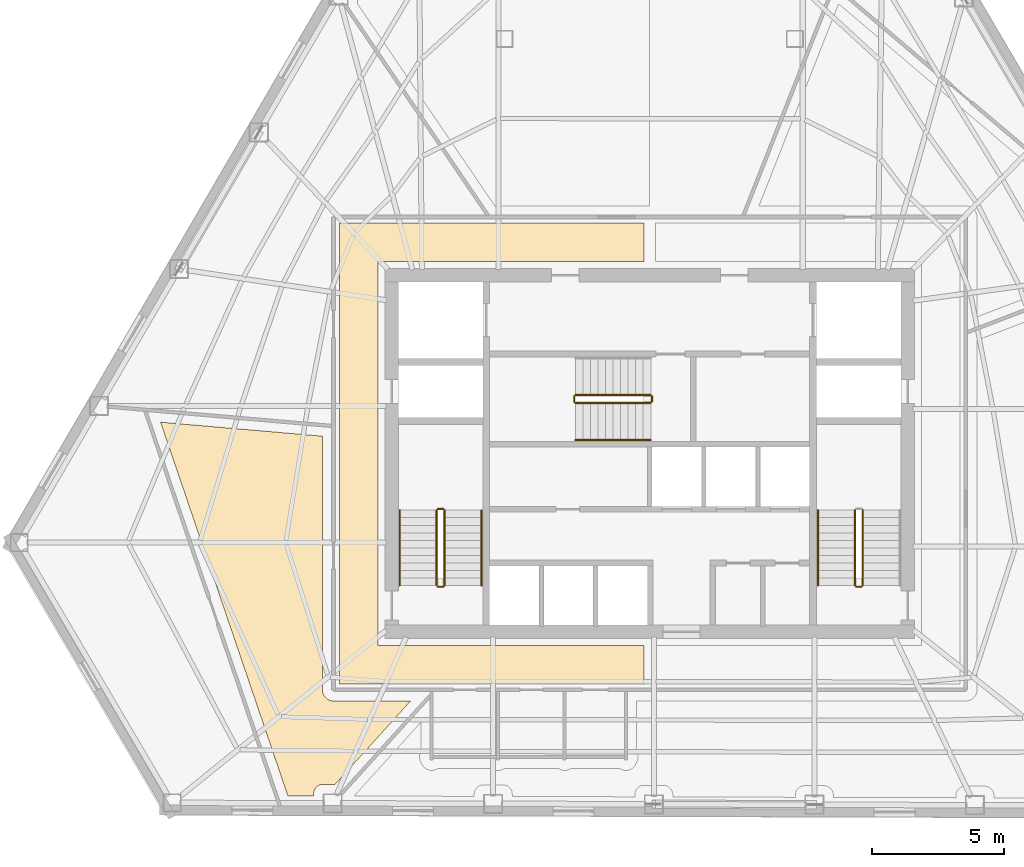
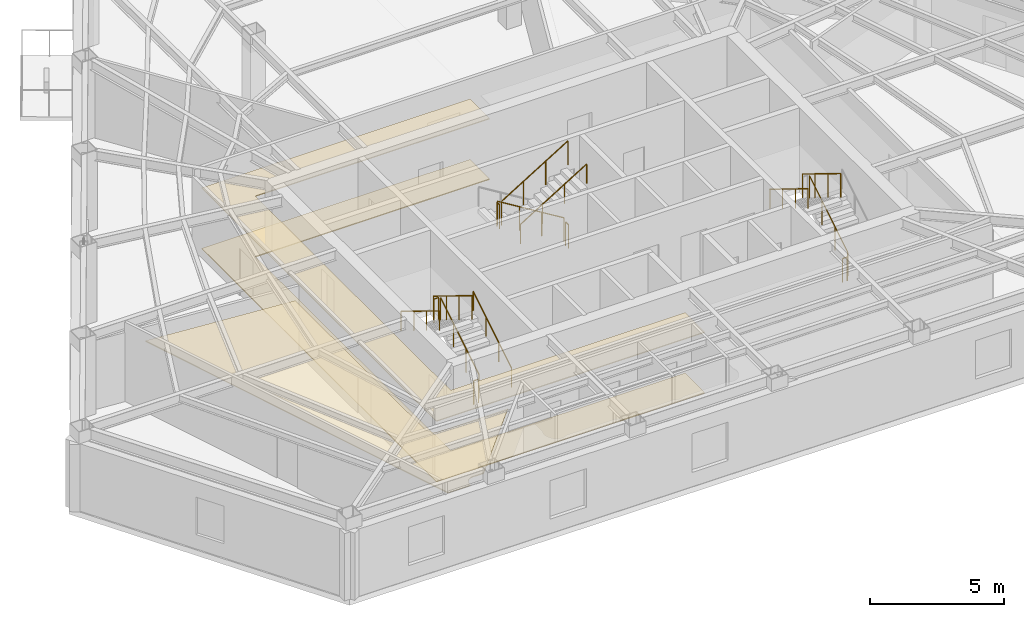
# One storey, part 8 of 11: 15 railings, 3 coverings.
"""IFC4 building model written with IfcOpenShell, lengths in metres."""

from ifc_helpers import new_model, si_unit, direction, frame, origin, origin_2d, place, context, subcontext, project, spatial, polyline, circle, outline, extrude, material, layer, layer_set, type_object, element, save


model = new_model("IFC4")

# Units and contexts
model_context = context("Model", 3, precision=1e-05, world=origin(), true_north=direction((0.0, 1.0)))
body_context = subcontext(model_context, "Body", "Model", "MODEL_VIEW")
ifc_project = project(units=[si_unit("LENGTHUNIT", "METRE"), si_unit("AREAUNIT", "SQUARE_METRE"), si_unit("VOLUMEUNIT", "CUBIC_METRE"), si_unit("PLANEANGLEUNIT", "RADIAN"), si_unit("MASSUNIT", "GRAM", prefix="KILO")], contexts=[model_context])

# Site, building, storey
site_placement = place(None, origin())
site = spatial("IfcSite", under=ifc_project, at=site_placement, CompositionType="ELEMENT")
building_placement = place(site_placement, origin())
building = spatial("IfcBuilding", under=site, at=building_placement, Name="Kavelnor Concourse Tower", CompositionType="ELEMENT")
storey_placement = place(building_placement, frame((0.0, 0.0, 127.85009765625)))
storey = spatial("IfcBuildingStorey", under=building, at=storey_placement, Name="L32", CompositionType="ELEMENT", Elevation=127.85009765625)

# Coverings
ifc_material_1 = material(Name="Mineral fibre acoustic ceiling tile")
ifc_layer_1 = layer(ifc_material_1, 0.0400390625, Name="Mineral fibre acoustic ceiling tile")
ifc_layer_set_1 = layer_set([ifc_layer_1], Name="Mineral fibre acoustic ceiling tile")
covering_type_1 = type_object("IfcCoveringType", Name="COV-CEILING-ACOUSTIC", PredefinedType="CEILING", material=ifc_layer_set_1)
covering_1_placement = place(storey_placement, frame((0.0, 0.0, 2.75)))
element("IfcCovering", 1, at=covering_1_placement, inside=storey, type_object=covering_type_1, Name="L32 Suspended Acoustic Ceiling", PredefinedType="CEILING", context=body_context, shape_type="SweptSolid", body=[
    extrude(outline(polyline([(26.25, 7.3701171875), (26.25, 24.830078125), (37.77490234375, 24.830078125), (37.77490234375, 23.3701171875), (27.7099609375, 23.3701171875), (27.7099609375, 8.830078125), (37.77490234375, 8.830078125), (37.77490234375, 7.3701171875), (26.25, 7.3701171875)])), origin(), (0.0, 0.0, 1.0), 0.039794921875),
])
covering_2_placement = place(storey_placement, frame((0.0, 0.0, 2.75)))
element("IfcCovering", 2, at=covering_2_placement, inside=storey, type_object=covering_type_1, Name="L32 Suspended Acoustic Ceiling", PredefinedType="CEILING", context=body_context, shape_type="SweptSolid", body=[
    extrude(outline(polyline([(25.609130859375, 7.1083984375), (25.615234375, 7.0673828125), (25.625244140625, 7.027099609375), (25.639404296875, 6.98828125), (25.656982421875, 6.95068359375), (25.678466796875, 6.9150390625), (25.703125, 6.881591796875), (25.73095703125, 6.85107421875), (25.76171875, 6.822998046875), (25.794921875, 6.79833984375), (25.83056640625, 6.777099609375), (25.8681640625, 6.75927734375), (25.9072265625, 6.745361328125), (25.947509765625, 6.735107421875), (25.988525390625, 6.72900390625), (26.021728515625, 6.7275390625), (28.947509765625, 6.7275390625), (26.08642578125, 3.56982421875), (25.625732421875, 3.56982421875), (25.5986328125, 3.568603515625), (25.563720703125, 3.563232421875), (25.529296875, 3.5546875), (25.49609375, 3.542724609375), (25.464111328125, 3.527587890625), (25.433837890625, 3.509521484375), (25.405517578125, 3.48828125), (25.379150390625, 3.464599609375), (25.35546875, 3.4384765625), (25.334228515625, 3.409912109375), (25.316162109375, 3.379638671875), (25.301025390625, 3.34765625), (25.2890625, 3.314453125), (25.280517578125, 3.280029296875), (25.275390625, 3.2451171875), (25.27392578125, 3.218017578125), (25.27392578125, 3.1318359375), (24.2958984375, 3.134765625), (19.475830078125, 17.284912109375), (25.607421875, 16.7548828125), (25.607421875, 7.1416015625), (25.609130859375, 7.1083984375)])), origin(), (0.0, 0.0, 1.0), 0.039794921875),
])
ifc_material_2 = material(Name="Honed bluestone and raised access floor finish", Category="masonry")
ifc_layer_2 = layer(ifc_material_2, 0.0400390625, Name="Honed bluestone and raised access floor finish")
ifc_layer_set_2 = layer_set([ifc_layer_2], Name="Honed bluestone and raised access floor finish")
covering_type_2 = type_object("IfcCoveringType", Name="COV-FLOOR-STONE", PredefinedType="FLOORING", material=ifc_layer_set_2)
covering_3_placement = place(storey_placement, frame((0.0, 0.0, 0.001953125)))
element("IfcCovering", 3, at=covering_3_placement, inside=storey, type_object=covering_type_2, Name="L32 Honed Bluestone Floor Finish", PredefinedType="FLOORING", context=body_context, shape_type="SweptSolid", body=[
    extrude(outline(polyline([(26.25, 7.3701171875), (26.25, 24.830078125), (37.77490234375, 24.830078125), (37.77490234375, 23.3701171875), (27.7099609375, 23.3701171875), (27.7099609375, 8.830078125), (37.77490234375, 8.830078125), (37.77490234375, 7.3701171875), (26.25, 7.3701171875)])), origin(), (0.0, 0.0, 1.0), 0.0400390625),
])

# Railings
ifc_material_3 = material(Name="Steel Grade 350", Category="steel")
railing_type_1 = type_object("IfcRailingType", Name="RLG-GUARD-1100", PredefinedType="GUARDRAIL", material=ifc_material_3)
railing_1_placement = place(storey_placement, frame((30.22998046875, 11.10009765625, 0.1748046875)))
element("IfcRailing", 4, at=railing_1_placement, inside=storey, type_object=railing_type_1, Name="L32 ST1 stair guard 1", PredefinedType="GUARDRAIL", context=body_context, shape_type="SweptSolid", body=[
    extrude(circle(Radius=0.02392578125, at=origin_2d()), frame((0.0, 0.0, 1.076171875), z_axis=(0.0, 0.852159232446, 0.523282564737), x_axis=(-1.0, 0.0, 0.0)), (0.0, 0.0, 1.0), 3.34423828125),
    extrude(circle(Radius=0.02099609375, at=origin_2d()), origin(), (0.0, 0.0, 1.0), 1.052001953125),
    extrude(circle(Radius=0.02099609375, at=origin_2d()), frame((0.0, 0.949951171875, 0.583251953125)), (0.0, 0.0, 1.0), 1.052001953125),
    extrude(circle(Radius=0.02099609375, at=origin_2d()), frame((0.0, 1.89990234375, 1.166748046875)), (0.0, 0.0, 1.0), 1.052001953125),
    extrude(circle(Radius=0.02099609375, at=origin_2d()), frame((0.0, 2.849853515625, 1.75)), (0.0, 0.0, 1.0), 1.052001953125),
])
railing_2_placement = place(storey_placement, frame((30.179931640625, 14.0, 1.9248046875)))
element("IfcRailing", 5, at=railing_2_placement, inside=storey, type_object=railing_type_1, Name="L32 ST1 stair guard 2", PredefinedType="GUARDRAIL", context=body_context, shape_type="SweptSolid", body=[
    extrude(circle(Radius=0.02392578125, at=origin_2d()), frame((0.0, 0.0, 1.076171875), z_axis=(-1.0, 0.0, 0.0), x_axis=(0.0, -1.0, 0.0)), (0.0, 0.0, 1.0), 0.199951171875),
    extrude(circle(Radius=0.02099609375, at=origin_2d()), origin(), (0.0, 0.0, 1.0), 1.052001953125),
    extrude(circle(Radius=0.02099609375, at=origin_2d()), frame((-0.199951171875, 0.0, 0.0)), (0.0, 0.0, 1.0), 1.052001953125),
])
railing_3_placement = place(storey_placement, frame((29.929931640625, 13.949951171875, 2.099853515625)))
element("IfcRailing", 6, at=railing_3_placement, inside=storey, type_object=railing_type_1, Name="L32 ST1 stair guard 3", PredefinedType="GUARDRAIL", context=body_context, shape_type="SweptSolid", body=[
    extrude(circle(Radius=0.02392578125, at=origin_2d()), frame((0.0, 0.0, 1.076171875), z_axis=(0.0, -0.852159232446, 0.523282564737), x_axis=(1.0, 0.0, 0.0)), (0.0, 0.0, 1.0), 3.34423828125),
    extrude(circle(Radius=0.02099609375, at=origin_2d()), origin(), (0.0, 0.0, 1.0), 1.052001953125),
    extrude(circle(Radius=0.02099609375, at=origin_2d()), frame((0.0, -0.949951171875, 0.583251953125)), (0.0, 0.0, 1.0), 1.052001953125),
    extrude(circle(Radius=0.02099609375, at=origin_2d()), frame((0.0, -1.89990234375, 1.166748046875)), (0.0, 0.0, 1.0), 1.052001953125),
    extrude(circle(Radius=0.02099609375, at=origin_2d()), frame((0.0, -2.849853515625, 1.75)), (0.0, 0.0, 1.0), 1.052001953125),
])
railing_4_placement = place(storey_placement, frame((30.179931640625, 11.050048828125, 0.0)))
element("IfcRailing", 7, at=railing_4_placement, inside=storey, type_object=railing_type_1, Name="L32 ST1 stair guard 4", PredefinedType="GUARDRAIL", context=body_context, shape_type="SweptSolid", body=[
    extrude(circle(Radius=0.02392578125, at=origin_2d()), frame((0.0, 0.0, 1.076171875), z_axis=(-1.0, 0.0, 0.0), x_axis=(0.0, -1.0, 0.0)), (0.0, 0.0, 1.0), 0.199951171875),
    extrude(circle(Radius=0.02099609375, at=origin_2d()), origin(), (0.0, 0.0, 1.0), 1.052001953125),
    extrude(circle(Radius=0.02099609375, at=origin_2d()), frame((-0.199951171875, 0.0, 0.0)), (0.0, 0.0, 1.0), 1.052001953125),
])
railing_5_placement = place(storey_placement, frame((46.070068359375, 11.10009765625, 0.1748046875)))
element("IfcRailing", 8, at=railing_5_placement, inside=storey, type_object=railing_type_1, Name="L32 ST2 stair guard 1", PredefinedType="GUARDRAIL", context=body_context, shape_type="SweptSolid", body=[
    extrude(circle(Radius=0.02392578125, at=origin_2d()), frame((0.0, 0.0, 1.076171875), z_axis=(0.0, 0.852159232446, 0.523282564737), x_axis=(-1.0, 0.0, 0.0)), (0.0, 0.0, 1.0), 3.34423828125),
    extrude(circle(Radius=0.02099609375, at=origin_2d()), origin(), (0.0, 0.0, 1.0), 1.052001953125),
    extrude(circle(Radius=0.02099609375, at=origin_2d()), frame((0.0, 0.949951171875, 0.583251953125)), (0.0, 0.0, 1.0), 1.052001953125),
    extrude(circle(Radius=0.02099609375, at=origin_2d()), frame((0.0, 1.89990234375, 1.166748046875)), (0.0, 0.0, 1.0), 1.052001953125),
    extrude(circle(Radius=0.02099609375, at=origin_2d()), frame((0.0, 2.849853515625, 1.75)), (0.0, 0.0, 1.0), 1.052001953125),
])
railing_6_placement = place(storey_placement, frame((45.77001953125, 13.949951171875, 2.099853515625)))
element("IfcRailing", 9, at=railing_6_placement, inside=storey, type_object=railing_type_1, Name="L32 ST2 stair guard 3", PredefinedType="GUARDRAIL", context=body_context, shape_type="SweptSolid", body=[
    extrude(circle(Radius=0.02392578125, at=origin_2d()), frame((0.0, 0.0, 1.076171875), z_axis=(0.0, -0.852159232446, 0.523282564737), x_axis=(1.0, 0.0, 0.0)), (0.0, 0.0, 1.0), 3.34423828125),
    extrude(circle(Radius=0.02099609375, at=origin_2d()), origin(), (0.0, 0.0, 1.0), 1.052001953125),
    extrude(circle(Radius=0.02099609375, at=origin_2d()), frame((0.0, -0.949951171875, 0.583251953125)), (0.0, 0.0, 1.0), 1.052001953125),
    extrude(circle(Radius=0.02099609375, at=origin_2d()), frame((0.0, -1.89990234375, 1.166748046875)), (0.0, 0.0, 1.0), 1.052001953125),
    extrude(circle(Radius=0.02099609375, at=origin_2d()), frame((0.0, -2.849853515625, 1.75)), (0.0, 0.0, 1.0), 1.052001953125),
])
railing_7_placement = place(storey_placement, frame((46.02001953125, 11.050048828125, 0.0)))
element("IfcRailing", 10, at=railing_7_placement, inside=storey, type_object=railing_type_1, Name="L32 ST2 stair guard 4", PredefinedType="GUARDRAIL", context=body_context, shape_type="SweptSolid", body=[
    extrude(circle(Radius=0.02392578125, at=origin_2d()), frame((0.0, 0.0, 1.076171875), z_axis=(-1.0, 0.0, 0.0), x_axis=(0.0, -1.0, 0.0)), (0.0, 0.0, 1.0), 0.199951171875),
    extrude(circle(Radius=0.02099609375, at=origin_2d()), origin(), (0.0, 0.0, 1.0), 1.052001953125),
    extrude(circle(Radius=0.02099609375, at=origin_2d()), frame((-0.199951171875, 0.0, 0.0)), (0.0, 0.0, 1.0), 1.052001953125),
])
railing_8_placement = place(storey_placement, frame((38.0400390625, 18.31005859375, 0.1748046875)))
element("IfcRailing", 11, at=railing_8_placement, inside=storey, type_object=railing_type_1, Name="L32 ST3 stair guard 1", PredefinedType="GUARDRAIL", context=body_context, shape_type="SweptSolid", body=[
    extrude(circle(Radius=0.02392578125, at=origin_2d()), frame((0.0, 0.0, 1.076171875), z_axis=(-0.852179220489, 0.0, 0.52325001306), x_axis=(0.0, -1.0, 0.0)), (0.0, 0.0, 1.0), 3.344482421875),
    extrude(circle(Radius=0.02099609375, at=origin_2d()), origin(), (0.0, 0.0, 1.0), 1.052001953125),
    extrude(circle(Radius=0.02099609375, at=origin_2d()), frame((-0.949951171875, 0.0, 0.583251953125)), (0.0, 0.0, 1.0), 1.052001953125),
    extrude(circle(Radius=0.02099609375, at=origin_2d()), frame((-1.900146484375, 0.0, 1.166748046875)), (0.0, 0.0, 1.0), 1.052001953125),
    extrude(circle(Radius=0.02099609375, at=origin_2d()), frame((-2.85009765625, 0.0, 1.75)), (0.0, 0.0, 1.0), 1.052001953125),
])
railing_9_placement = place(storey_placement, frame((35.139892578125, 18.260009765625, 1.9248046875)))
element("IfcRailing", 12, at=railing_9_placement, inside=storey, type_object=railing_type_1, Name="L32 ST3 stair guard 2", PredefinedType="GUARDRAIL", context=body_context, shape_type="SweptSolid", body=[
    extrude(circle(Radius=0.02392578125, at=origin_2d()), frame((0.0, 0.0, 1.076171875), z_axis=(0.0, -1.0, 0.0), x_axis=(1.0, 0.0, 0.0)), (0.0, 0.0, 1.0), 0.199951171875),
    extrude(circle(Radius=0.02099609375, at=origin_2d()), origin(), (0.0, 0.0, 1.0), 1.052001953125),
    extrude(circle(Radius=0.02099609375, at=origin_2d()), frame((0.0, -0.199951171875, 0.0)), (0.0, 0.0, 1.0), 1.052001953125),
])
railing_10_placement = place(storey_placement, frame((35.18994140625, 18.010009765625, 2.099853515625)))
element("IfcRailing", 13, at=railing_10_placement, inside=storey, type_object=railing_type_1, Name="L32 ST3 stair guard 3", PredefinedType="GUARDRAIL", context=body_context, shape_type="SweptSolid", body=[
    extrude(circle(Radius=0.02392578125, at=origin_2d()), frame((0.0, 0.0, 1.076171875), z_axis=(0.852179220489, 0.0, 0.52325001306), x_axis=(0.0, 1.0, 0.0)), (0.0, 0.0, 1.0), 3.344482421875),
    extrude(circle(Radius=0.02099609375, at=origin_2d()), origin(), (0.0, 0.0, 1.0), 1.052001953125),
    extrude(circle(Radius=0.02099609375, at=origin_2d()), frame((0.949951171875, 0.0, 0.583251953125)), (0.0, 0.0, 1.0), 1.052001953125),
    extrude(circle(Radius=0.02099609375, at=origin_2d()), frame((1.900146484375, 0.0, 1.166748046875)), (0.0, 0.0, 1.0), 1.052001953125),
    extrude(circle(Radius=0.02099609375, at=origin_2d()), frame((2.85009765625, 0.0, 1.75)), (0.0, 0.0, 1.0), 1.052001953125),
])
railing_11_placement = place(storey_placement, frame((38.090087890625, 18.260009765625, 0.0)))
element("IfcRailing", 14, at=railing_11_placement, inside=storey, type_object=railing_type_1, Name="L32 ST3 stair guard 4", PredefinedType="GUARDRAIL", context=body_context, shape_type="SweptSolid", body=[
    extrude(circle(Radius=0.02392578125, at=origin_2d()), frame((0.0, 0.0, 1.076171875), z_axis=(0.0, -1.0, 0.0), x_axis=(1.0, 0.0, 0.0)), (0.0, 0.0, 1.0), 0.199951171875),
    extrude(circle(Radius=0.02099609375, at=origin_2d()), origin(), (0.0, 0.0, 1.0), 1.052001953125),
    extrude(circle(Radius=0.02099609375, at=origin_2d()), frame((0.0, -0.199951171875, 0.0)), (0.0, 0.0, 1.0), 1.052001953125),
])
railing_type_2 = type_object("IfcRailingType", Name="RLG-HANDRAIL-900", PredefinedType="HANDRAIL", material=ifc_material_3)
railing_12_placement = place(storey_placement, frame((31.6298828125, 11.10009765625, 0.1748046875)))
element("IfcRailing", 15, at=railing_12_placement, inside=storey, type_object=railing_type_2, Name="L32 ST1 stair handrail 1", PredefinedType="HANDRAIL", context=body_context, shape_type="SweptSolid", body=[
    extrude(circle(Radius=0.02392578125, at=origin_2d()), frame((0.0, 0.0, 0.8759765625), z_axis=(0.0, 0.852159232446, 0.523282564737), x_axis=(-1.0, 0.0, 0.0)), (0.0, 0.0, 1.0), 3.34423828125),
    extrude(circle(Radius=0.02099609375, at=origin_2d()), origin(), (0.0, 0.0, 1.0), 0.851806640625),
    extrude(circle(Radius=0.02099609375, at=origin_2d()), frame((0.0, 0.949951171875, 0.583251953125)), (0.0, 0.0, 1.0), 0.851806640625),
    extrude(circle(Radius=0.02099609375, at=origin_2d()), frame((0.0, 1.89990234375, 1.166748046875)), (0.0, 0.0, 1.0), 0.851806640625),
    extrude(circle(Radius=0.02099609375, at=origin_2d()), frame((0.0, 2.849853515625, 1.75)), (0.0, 0.0, 1.0), 0.851806640625),
])
for number, where, name in (
    (16, (28.530029296875, 13.949951171875, 2.099853515625), "L32 ST1 stair handrail 2"),
    (17, (44.3701171875, 13.949951171875, 2.099853515625), "L32 ST2 stair handrail 2"),
):
    element("IfcRailing", number, at=place(storey_placement, frame(where)), inside=storey, type_object=railing_type_2, Name=name, PredefinedType="HANDRAIL", context=body_context, shape_type="SweptSolid", body=[
        extrude(circle(Radius=0.02392578125, at=origin_2d()), frame((0.0, 0.0, 0.8759765625), z_axis=(0.0, -0.852159232446, 0.523282564737), x_axis=(1.0, 0.0, 0.0)), (0.0, 0.0, 1.0), 3.34423828125),
        extrude(circle(Radius=0.02099609375, at=origin_2d()), origin(), (0.0, 0.0, 1.0), 0.851806640625),
        extrude(circle(Radius=0.02099609375, at=origin_2d()), frame((0.0, -0.949951171875, 0.583251953125)), (0.0, 0.0, 1.0), 0.851806640625),
        extrude(circle(Radius=0.02099609375, at=origin_2d()), frame((0.0, -1.89990234375, 1.166748046875)), (0.0, 0.0, 1.0), 0.851806640625),
        extrude(circle(Radius=0.02099609375, at=origin_2d()), frame((0.0, -2.849853515625, 1.75)), (0.0, 0.0, 1.0), 0.851806640625),
    ])
railing_13_placement = place(storey_placement, frame((35.18994140625, 16.610107421875, 2.099853515625)))
element("IfcRailing", 18, at=railing_13_placement, inside=storey, type_object=railing_type_2, Name="L32 ST3 stair handrail 2", PredefinedType="HANDRAIL", context=body_context, shape_type="SweptSolid", body=[
    extrude(circle(Radius=0.02392578125, at=origin_2d()), frame((0.0, 0.0, 0.8759765625), z_axis=(0.852179220489, 0.0, 0.52325001306), x_axis=(0.0, 1.0, 0.0)), (0.0, 0.0, 1.0), 3.344482421875),
    extrude(circle(Radius=0.02099609375, at=origin_2d()), origin(), (0.0, 0.0, 1.0), 0.851806640625),
    extrude(circle(Radius=0.02099609375, at=origin_2d()), frame((0.949951171875, 0.0, 0.583251953125)), (0.0, 0.0, 1.0), 0.851806640625),
    extrude(circle(Radius=0.02099609375, at=origin_2d()), frame((1.900146484375, 0.0, 1.166748046875)), (0.0, 0.0, 1.0), 0.851806640625),
    extrude(circle(Radius=0.02099609375, at=origin_2d()), frame((2.85009765625, 0.0, 1.75)), (0.0, 0.0, 1.0), 0.851806640625),
])

save(model, "model.ifc")
